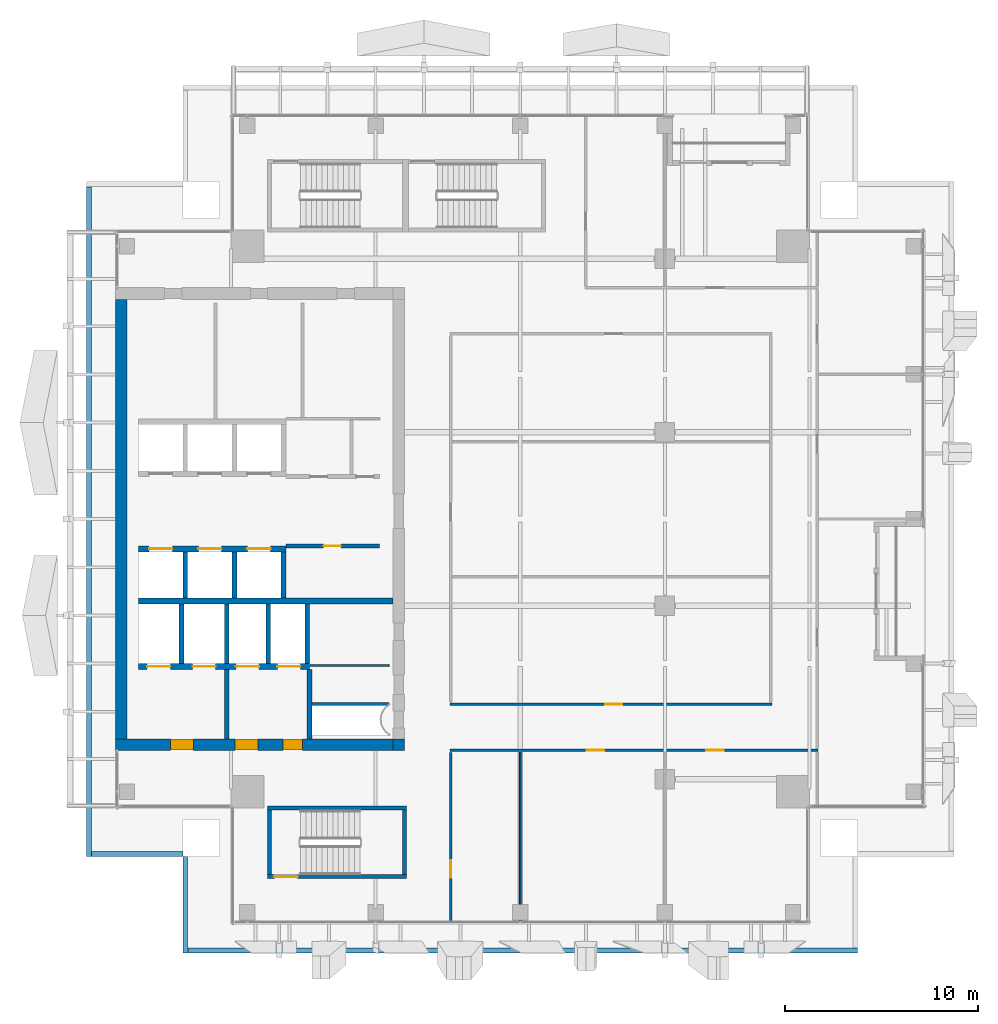
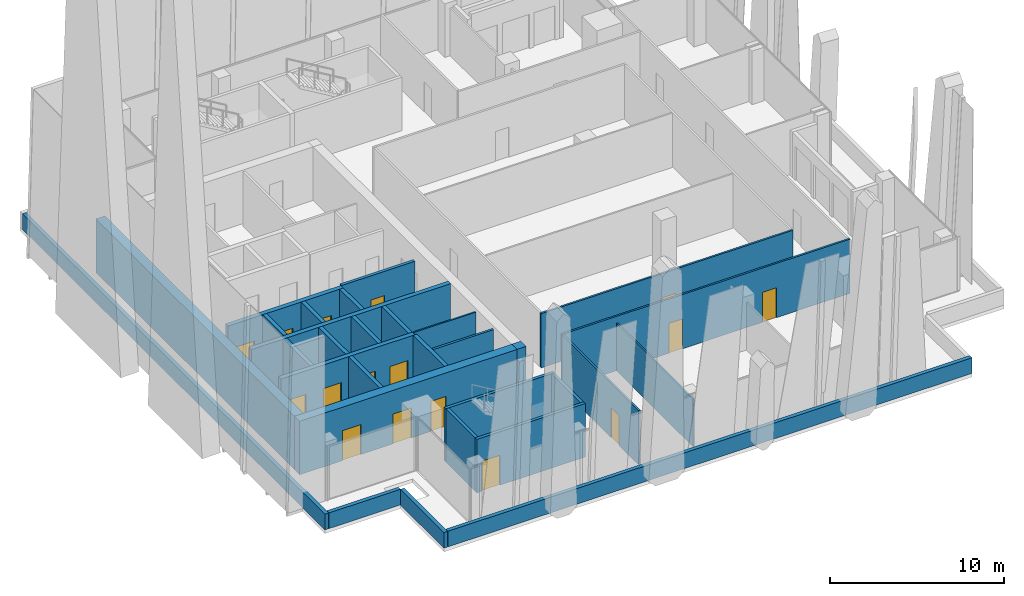
# One storey, part 25 of 32: 30 walls, 16 doors, 16 openings.
"""IFC4 building model written with IfcOpenShell, lengths in metres."""

from ifc_helpers import new_model, si_unit, direction, frame, frame_2d, origin, place, context, subcontext, project, spatial, rectangle, extrude, source, transform, mapped, material, layer, layer_set, type_object, element, fill, save


model = new_model("IFC4")

# Units and contexts
model_context = context("Model", 3, precision=1e-05, world=origin(), true_north=direction((0.0, 1.0)))
body_context = subcontext(model_context, "Body", "Model", "MODEL_VIEW")
ifc_project = project(units=[si_unit("LENGTHUNIT", "METRE"), si_unit("AREAUNIT", "SQUARE_METRE"), si_unit("VOLUMEUNIT", "CUBIC_METRE"), si_unit("PLANEANGLEUNIT", "RADIAN"), si_unit("MASSUNIT", "GRAM", prefix="KILO")], contexts=[model_context])

# Site, building, storey
site_placement = place(None, origin())
site = spatial("IfcSite", under=ifc_project, at=site_placement, CompositionType="ELEMENT")
building_placement = place(site_placement, origin())
building = spatial("IfcBuilding", under=site, at=building_placement, Name="Khomas Fold Tower", CompositionType="ELEMENT")
storey_placement = place(building_placement, frame((0.0, 0.0, 282.199951171875)))
storey = spatial("IfcBuildingStorey", under=building, at=storey_placement, Name="L63", CompositionType="ELEMENT", Elevation=282.199951171875)

# Wall
ifc_material_1 = material(Name="Concrete C50/60", Category="concrete")
ifc_layer_1 = layer(ifc_material_1, 0.199951171875)
ifc_layer_set_1 = layer_set([ifc_layer_1], Name="Concrete C50/60")
wall_type_1 = type_object("IfcWallType", Name="Stair wall 200", PredefinedType="SHEAR", material=ifc_layer_set_1)
shared_shape_1 = source(origin(), body_context, "Body", "SweptSolid", [
    extrude(rectangle(XDim=7.2001953125, YDim=0.199951171875, at=frame_2d((3.60009765625, 0.0))), origin(), (0.0, 0.0, 1.0), 3.75),
])
wall_1_placement = place(storey_placement, frame((13.89990234375, 12.0, 0.0), z_axis=(0.0, 0.0, 1.0), x_axis=(1.0, 0.0, 0.0)))
element("IfcWall", 1, at=wall_1_placement, inside=storey, type_object=wall_type_1, Name="Stair wall SW-ST2-NH", PredefinedType="SHEAR", context=body_context, shape_type="MappedRepresentation", body=[
    mapped(shared_shape_1, transform((0.0, 0.0, 0.0))),
])

# Wall, opening, door
wall_2_placement = place(storey_placement, frame((13.89990234375, 8.449951171875, 0.0), z_axis=(0.0, 0.0, 1.0), x_axis=(1.0, 0.0, 0.0)))
wall_2 = element("IfcWall", 2, at=wall_2_placement, inside=storey, type_object=wall_type_1, Name="Stair wall SW-ST2-S", PredefinedType="SHEAR", context=body_context, shape_type="MappedRepresentation", body=[
    mapped(shared_shape_1, transform((0.0, 0.0, 0.0))),
])
shared_shape_2 = source(origin(), body_context, "Body", "SweptSolid", [
    extrude(rectangle(XDim=1.199951171875, YDim=2.10009765625, at=frame_2d((0.60009765625, 1.050048828125))), frame((0.0, 0.10986328125, 0.0), z_axis=(0.0, -1.0, 0.0), x_axis=(1.0, 0.0, 0.0)), (0.0, 0.0, 1.0), 0.219970703125),
])
opening_1_placement = place(wall_2_placement, frame((0.35009765625, 0.0, 0.0)))
opening_1 = element("IfcOpeningElement", 3, at=opening_1_placement, cuts=wall_2, Name="Opening SD-ST2", PredefinedType="OPENING", context=body_context, shape_type="MappedRepresentation", body=[
    mapped(shared_shape_2, transform((0.0, 0.0, 0.0))),
])
ifc_material_2 = material(Name="Steel door leaf", Category="steel")
door_type_1 = type_object("IfcDoorType", Name="Stair door 1200x2100 right-hand", OperationType="SINGLE_SWING_RIGHT", PredefinedType="DOOR", material=ifc_material_2)
shared_shape_3 = source(origin(), body_context, "Body", "SweptSolid", [
    extrude(rectangle(XDim=1.199951171875, YDim=2.10009765625, at=frame_2d((0.60009765625, 1.050048828125))), frame((0.0, 0.02490234375, 0.0), z_axis=(0.0, -1.0, 0.0), x_axis=(1.0, 0.0, 0.0)), (0.0, 0.0, 1.0), 0.050048828125),
])
door_1_placement = place(opening_1_placement, origin())
door_1 = element("IfcDoor", 4, at=door_1_placement, inside=storey, type_object=door_type_1, Name="Stair door", OperationType="SINGLE_SWING_RIGHT", OverallHeight=2.10009765625, OverallWidth=1.199951171875, PredefinedType="DOOR", context=body_context, shape_type="MappedRepresentation", body=[
    mapped(shared_shape_3, transform((0.0, 0.0, 0.0))),
])
fill(opening_1, door_1)

# Walls
shared_shape_4 = source(origin(), body_context, "Body", "SweptSolid", [
    extrude(rectangle(XDim=3.349853515625, YDim=0.199951171875, at=frame_2d((1.6748046875, 0.0))), origin(), (0.0, 0.0, 1.0), 3.75),
])
for number, where, z_axis, x_axis, name in (
    (5, (21.0, 8.550048828125, 0.0), (0.0, 0.0, 1.0), (0.0, 1.0, 0.0), "Stair wall SW-ST2-E"),
    (6, (14.0, 8.550048828125, 0.0), (0.0, 0.0, 1.0), (0.0, 1.0, 0.0), "Stair wall SW-ST2-W"),
):
    element("IfcWall", number, at=place(storey_placement, frame(where, z_axis=z_axis, x_axis=x_axis)), inside=storey, type_object=wall_type_1, Name=name, PredefinedType="SHEAR", context=body_context, shape_type="MappedRepresentation", body=[
        mapped(shared_shape_4, transform((0.0, 0.0, 0.0))),
    ])
ifc_material_3 = material(Name="Concrete C50/60", Category="concrete")
ifc_layer_2 = layer(ifc_material_3, 0.25)
ifc_layer_set_2 = layer_set([ifc_layer_2], Name="Concrete C50/60")
wall_type_2 = type_object("IfcWallType", Name="Shaft wall 250", PredefinedType="STANDARD", material=ifc_layer_set_2)
shared_shape_5 = source(origin(), body_context, "Body", "SweptSolid", [
    extrude(rectangle(XDim=3.10009765625, YDim=0.25, at=frame_2d((1.550048828125, 0.0))), origin(), (0.0, 0.0, 1.0), 3.75),
])
for number, where, z_axis, x_axis, name in (
    (7, (9.425048828125, 19.5, 0.0), (0.0, 0.0, 1.0), (0.0, 1.0, 0.0), "Core wall SW-FS-P1"),
    (8, (11.77490234375, 19.5, 0.0), (0.0, 0.0, 1.0), (0.0, 1.0, 0.0), "Core wall SW-FS-P2"),
    (9, (13.925048828125, 19.5, 0.0), (0.0, 0.0, 1.0), (0.0, 1.0, 0.0), "Core wall SW-FS-P3"),
    (10, (15.949951171875, 19.5, 0.0), (0.0, 0.0, 1.0), (0.0, 1.0, 0.0), "Core wall SW-FS-PE"),
):
    element("IfcWall", number, at=place(storey_placement, frame(where, z_axis=z_axis, x_axis=x_axis)), inside=storey, type_object=wall_type_2, Name=name, PredefinedType="STANDARD", context=body_context, shape_type="MappedRepresentation", body=[
        mapped(shared_shape_5, transform((0.0, 0.0, 0.0))),
    ])
shared_shape_6 = source(origin(), body_context, "Body", "SweptSolid", [
    extrude(rectangle(XDim=2.400146484375, YDim=0.25, at=frame_2d((1.2001953125, 0.0))), origin(), (0.0, 0.0, 1.0), 3.75),
])
for number, where, z_axis, x_axis, name in (
    (11, (9.625, 22.89990234375, 0.0), (0.0, 0.0, 1.0), (0.0, 1.0, 0.0), "Core wall SW-HRS-P1"),
    (12, (12.175048828125, 22.89990234375, 0.0), (0.0, 0.0, 1.0), (0.0, 1.0, 0.0), "Core wall SW-HRS-P2"),
    (13, (14.72509765625, 22.89990234375, 0.0), (0.0, 0.0, 1.0), (0.0, 1.0, 0.0), "Core wall SW-HRS-PE"),
):
    element("IfcWall", number, at=place(storey_placement, frame(where, z_axis=z_axis, x_axis=x_axis)), inside=storey, type_object=wall_type_2, Name=name, PredefinedType="STANDARD", context=body_context, shape_type="MappedRepresentation", body=[
        mapped(shared_shape_6, transform((0.0, 0.0, 0.0))),
    ])

# Wall, openings, doors
ifc_material_4 = material(Name="Concrete C50/60", Category="concrete")
ifc_layer_3 = layer(ifc_material_4, 0.60009765625)
ifc_layer_set_3 = layer_set([ifc_layer_3], Name="Concrete C50/60")
wall_type_3 = type_object("IfcWallType", Name="Core wall 600", PredefinedType="SHEAR", material=ifc_layer_set_3)
shared_shape_7 = source(origin(), body_context, "Body", "SweptSolid", [
    extrude(rectangle(XDim=14.39990234375, YDim=0.60009765625, at=frame_2d((7.199951171875, 0.0))), origin(), (0.0, 0.0, 1.0), 3.75),
])
wall_3_placement = place(storey_placement, frame((6.0, 15.300048828125, 0.0), z_axis=(0.0, 0.0, 1.0), x_axis=(1.0, 0.0, 0.0)))
wall_3 = element("IfcWall", 14, at=wall_3_placement, inside=storey, type_object=wall_type_3, Name="Core wall CW-U-S-L63", PredefinedType="SHEAR", context=body_context, shape_type="MappedRepresentation", body=[
    mapped(shared_shape_7, transform((0.0, 0.0, 0.0))),
])
shared_shape_8 = source(origin(), body_context, "Body", "SweptSolid", [
    extrude(rectangle(XDim=1.199951171875, YDim=2.10009765625, at=frame_2d((0.60009765625, 1.050048828125))), frame((0.0, 0.31005859375, 0.0), z_axis=(0.0, -1.0, 0.0), x_axis=(1.0, 0.0, 0.0)), (0.0, 0.0, 1.0), 0.6201171875),
])
opening_2_placement = place(wall_3_placement, frame((6.199951171875, 0.0, 0.0)))
opening_2 = element("IfcOpeningElement", 15, at=opening_2_placement, cuts=wall_3, Name="Opening 0009", PredefinedType="OPENING", context=body_context, shape_type="MappedRepresentation", body=[
    mapped(shared_shape_8, transform((0.0, 0.0, 0.0))),
])
opening_3_placement = place(wall_3_placement, frame((2.85009765625, 0.0, 0.0)))
opening_3 = element("IfcOpeningElement", 16, at=opening_3_placement, cuts=wall_3, Name="Opening 0009", PredefinedType="OPENING", context=body_context, shape_type="MappedRepresentation", body=[
    mapped(shared_shape_8, transform((0.0, 0.0, 0.0))),
])
shared_shape_9 = source(origin(), body_context, "Body", "SweptSolid", [
    extrude(rectangle(XDim=1.0, YDim=2.10009765625, at=frame_2d((0.5, 1.050048828125))), frame((0.0, 0.31005859375, 0.0), z_axis=(0.0, -1.0, 0.0), x_axis=(1.0, 0.0, 0.0)), (0.0, 0.0, 1.0), 0.6201171875),
])
opening_4_placement = place(wall_3_placement, frame((8.699951171875, 0.0, 0.0)))
opening_4 = element("IfcOpeningElement", 17, at=opening_4_placement, cuts=wall_3, Name="Opening 0010", PredefinedType="OPENING", context=body_context, shape_type="MappedRepresentation", body=[
    mapped(shared_shape_9, transform((0.0, 0.0, 0.0))),
])
ifc_material_5 = material(Name="Steel door leaf", Category="steel")
door_type_2 = type_object("IfcDoorType", Name="Stair door 1000x2100 right-hand", OperationType="SINGLE_SWING_RIGHT", PredefinedType="DOOR", material=ifc_material_5)
shared_shape_10 = source(origin(), body_context, "Body", "SweptSolid", [
    extrude(rectangle(XDim=1.0, YDim=2.10009765625, at=frame_2d((0.5, 1.050048828125))), frame((0.0, 0.25, 0.0), z_axis=(0.0, -1.0, 0.0), x_axis=(1.0, 0.0, 0.0)), (0.0, 0.0, 1.0), 0.5),
])
door_2_placement = place(opening_4_placement, origin())
door_2 = element("IfcDoor", 18, at=door_2_placement, inside=storey, type_object=door_type_2, Name="Stair door", OperationType="SINGLE_SWING_RIGHT", OverallHeight=2.10009765625, OverallWidth=1.0, PredefinedType="DOOR", context=body_context, shape_type="MappedRepresentation", body=[
    mapped(shared_shape_10, transform((0.0, 0.0, 0.0))),
])
fill(opening_4, door_2)
ifc_material_6 = material(Name="Steel door leaf", Category="steel")
door_type_3 = type_object("IfcDoorType", Name="Lobby door 1200x2100 right-hand", OperationType="SINGLE_SWING_RIGHT", PredefinedType="DOOR", material=ifc_material_6)
shared_shape_11 = source(origin(), body_context, "Body", "SweptSolid", [
    extrude(rectangle(XDim=1.199951171875, YDim=2.10009765625, at=frame_2d((0.60009765625, 1.050048828125))), frame((0.0, 0.25, 0.0), z_axis=(0.0, -1.0, 0.0), x_axis=(1.0, 0.0, 0.0)), (0.0, 0.0, 1.0), 0.5),
])
door_3_placement = place(opening_2_placement, origin())
door_3 = element("IfcDoor", 19, at=door_3_placement, inside=storey, type_object=door_type_3, Name="Lobby door", OperationType="SINGLE_SWING_RIGHT", OverallHeight=2.10009765625, OverallWidth=1.199951171875, PredefinedType="DOOR", context=body_context, shape_type="MappedRepresentation", body=[
    mapped(shared_shape_11, transform((0.0, 0.0, 0.0))),
])
fill(opening_2, door_3)
door_4_placement = place(opening_3_placement, origin())
door_4 = element("IfcDoor", 20, at=door_4_placement, inside=storey, type_object=door_type_3, Name="Lobby door", OperationType="SINGLE_SWING_RIGHT", OverallHeight=2.10009765625, OverallWidth=1.199951171875, PredefinedType="DOOR", context=body_context, shape_type="MappedRepresentation", body=[
    mapped(shared_shape_11, transform((0.0, 0.0, 0.0))),
])
fill(opening_3, door_4)

# Walls
ifc_material_7 = material(Name="Concrete C50/60", Category="concrete")
ifc_layer_4 = layer(ifc_material_7, 0.60009765625)
ifc_layer_set_4 = layer_set([ifc_layer_4], Name="Concrete C50/60")
wall_type_4 = type_object("IfcWallType", Name="Core corner wall 600", PredefinedType="SHEAR", material=ifc_layer_set_4)
shared_shape_12 = source(origin(), body_context, "Body", "SweptSolid", [
    extrude(rectangle(XDim=0.60009765625, YDim=0.60009765625, at=frame_2d((0.300048828125, 0.0))), origin(), (0.0, 0.0, 1.0), 3.75),
])
wall_4_placement = place(storey_placement, frame((20.39990234375, 15.300048828125, 0.0), z_axis=(0.0, 0.0, 1.0), x_axis=(1.0, 0.0, 0.0)))
element("IfcWall", 21, at=wall_4_placement, inside=storey, type_object=wall_type_4, Name="Core wall CW-U-SE-L63", PredefinedType="SHEAR", context=body_context, shape_type="MappedRepresentation", body=[
    mapped(shared_shape_12, transform((0.0, 0.0, 0.0))),
])
shared_shape_13 = source(origin(), body_context, "Body", "SweptSolid", [
    extrude(rectangle(XDim=22.7998046875, YDim=0.60009765625, at=frame_2d((11.39990234375, 0.0))), origin(), (0.0, 0.0, 1.0), 3.75),
])
wall_5_placement = place(storey_placement, frame((6.300048828125, 15.60009765625, 0.0), z_axis=(0.0, 0.0, 1.0), x_axis=(0.0, 1.0, 0.0)))
element("IfcWall", 22, at=wall_5_placement, inside=storey, type_object=wall_type_3, Name="Core wall CW-U-W-L63", PredefinedType="SHEAR", context=body_context, shape_type="MappedRepresentation", body=[
    mapped(shared_shape_13, transform((0.0, 0.0, 0.0))),
])
ifc_material_8 = material(Name="Concrete C50/60", Category="concrete")
ifc_layer_5 = layer(ifc_material_8, 0.300048828125)
ifc_layer_set_5 = layer_set([ifc_layer_5], Name="Concrete C50/60")
wall_type_5 = type_object("IfcWallType", Name="Shaft wall 300", PredefinedType="STANDARD", material=ifc_layer_set_5)
shared_shape_14 = source(origin(), body_context, "Body", "SweptSolid", [
    extrude(rectangle(XDim=13.199951171875, YDim=0.300048828125, at=frame_2d((6.60009765625, 0.0))), origin(), (0.0, 0.0, 1.0), 3.75),
])
wall_6_placement = place(storey_placement, frame((7.199951171875, 22.75, 0.0), z_axis=(0.0, 0.0, 1.0), x_axis=(1.0, 0.0, 0.0)))
element("IfcWall", 23, at=wall_6_placement, inside=storey, type_object=wall_type_5, Name="Core wall SW-FS-B", PredefinedType="STANDARD", context=body_context, shape_type="MappedRepresentation", body=[
    mapped(shared_shape_14, transform((0.0, 0.0, 0.0))),
])

# Wall, openings, doors
shared_shape_15 = source(origin(), body_context, "Body", "SweptSolid", [
    extrude(rectangle(XDim=8.875, YDim=0.300048828125, at=frame_2d((4.4375, 0.0))), origin(), (0.0, 0.0, 1.0), 3.75),
])
wall_7_placement = place(storey_placement, frame((7.199951171875, 19.35009765625, 0.0), z_axis=(0.0, 0.0, 1.0), x_axis=(1.0, 0.0, 0.0)))
wall_7 = element("IfcWall", 24, at=wall_7_placement, inside=storey, type_object=wall_type_5, Name="Core wall SW-FS-F", PredefinedType="STANDARD", context=body_context, shape_type="MappedRepresentation", body=[
    mapped(shared_shape_15, transform((0.0, 0.0, 0.0))),
])
shared_shape_16 = source(origin(), body_context, "Body", "SweptSolid", [
    extrude(rectangle(XDim=1.199951171875, YDim=2.10009765625, at=frame_2d((0.60009765625, 1.050048828125))), frame((0.0, 0.159912109375, 0.0), z_axis=(0.0, -1.0, 0.0), x_axis=(1.0, 0.0, 0.0)), (0.0, 0.0, 1.0), 0.320068359375),
])
opening_5_placement = place(wall_7_placement, frame((0.449951171875, 0.0, 0.0)))
opening_5 = element("IfcOpeningElement", 25, at=opening_5_placement, cuts=wall_7, Name="Opening LD-SV1", PredefinedType="OPENING", context=body_context, shape_type="MappedRepresentation", body=[
    mapped(shared_shape_16, transform((0.0, 0.0, 0.0))),
])
opening_6_placement = place(wall_7_placement, frame((2.800048828125, 0.0, 0.0)))
opening_6 = element("IfcOpeningElement", 26, at=opening_6_placement, cuts=wall_7, Name="Opening LD-SV2", PredefinedType="OPENING", context=body_context, shape_type="MappedRepresentation", body=[
    mapped(shared_shape_16, transform((0.0, 0.0, 0.0))),
])
opening_7_placement = place(wall_7_placement, frame((5.050048828125, 0.0, 0.0)))
opening_7 = element("IfcOpeningElement", 27, at=opening_7_placement, cuts=wall_7, Name="Opening LD-FF1", PredefinedType="OPENING", context=body_context, shape_type="MappedRepresentation", body=[
    mapped(shared_shape_16, transform((0.0, 0.0, 0.0))),
])
opening_8_placement = place(wall_7_placement, frame((7.199951171875, 0.0, 0.0)))
opening_8 = element("IfcOpeningElement", 28, at=opening_8_placement, cuts=wall_7, Name="Opening LD-FF2", PredefinedType="OPENING", context=body_context, shape_type="MappedRepresentation", body=[
    mapped(shared_shape_16, transform((0.0, 0.0, 0.0))),
])
ifc_material_9 = material(Name="Steel door leaf", Category="steel")
door_type_4 = type_object("IfcDoorType", Name="Landing door 1200x2100", OperationType="DOUBLE_DOOR_SLIDING", PredefinedType="DOOR", material=ifc_material_9)
door_5_placement = place(opening_5_placement, origin())
door_5 = element("IfcDoor", 29, at=door_5_placement, inside=storey, type_object=door_type_4, Name="Lift landing door", OperationType="DOUBLE_DOOR_SLIDING", OverallHeight=2.10009765625, OverallWidth=1.199951171875, PredefinedType="DOOR", context=body_context, shape_type="MappedRepresentation", body=[
    mapped(shared_shape_3, transform((0.0, 0.0, 0.0))),
])
fill(opening_5, door_5)
door_6_placement = place(opening_6_placement, origin())
door_6 = element("IfcDoor", 30, at=door_6_placement, inside=storey, type_object=door_type_4, Name="Lift landing door", OperationType="DOUBLE_DOOR_SLIDING", OverallHeight=2.10009765625, OverallWidth=1.199951171875, PredefinedType="DOOR", context=body_context, shape_type="MappedRepresentation", body=[
    mapped(shared_shape_3, transform((0.0, 0.0, 0.0))),
])
fill(opening_6, door_6)
door_7_placement = place(opening_7_placement, origin())
door_7 = element("IfcDoor", 31, at=door_7_placement, inside=storey, type_object=door_type_4, Name="Lift landing door", OperationType="DOUBLE_DOOR_SLIDING", OverallHeight=2.10009765625, OverallWidth=1.199951171875, PredefinedType="DOOR", context=body_context, shape_type="MappedRepresentation", body=[
    mapped(shared_shape_3, transform((0.0, 0.0, 0.0))),
])
fill(opening_7, door_7)
door_8_placement = place(opening_8_placement, origin())
door_8 = element("IfcDoor", 32, at=door_8_placement, inside=storey, type_object=door_type_4, Name="Lift landing door", OperationType="DOUBLE_DOOR_SLIDING", OverallHeight=2.10009765625, OverallWidth=1.199951171875, PredefinedType="DOOR", context=body_context, shape_type="MappedRepresentation", body=[
    mapped(shared_shape_3, transform((0.0, 0.0, 0.0))),
])
fill(opening_8, door_8)

shared_shape_17 = source(origin(), body_context, "Body", "SweptSolid", [
    extrude(rectangle(XDim=7.650146484375, YDim=0.300048828125, at=frame_2d((3.8251953125, 0.0))), origin(), (0.0, 0.0, 1.0), 3.75),
])
wall_8_placement = place(storey_placement, frame((7.199951171875, 25.449951171875, 0.0), z_axis=(0.0, 0.0, 1.0), x_axis=(1.0, 0.0, 0.0)))
wall_8 = element("IfcWall", 33, at=wall_8_placement, inside=storey, type_object=wall_type_5, Name="Core wall SW-HRS-F", PredefinedType="STANDARD", context=body_context, shape_type="MappedRepresentation", body=[
    mapped(shared_shape_17, transform((0.0, 0.0, 0.0))),
])
opening_9_placement = place(wall_8_placement, frame((0.550048828125, 0.0, 0.0)))
opening_9 = element("IfcOpeningElement", 34, at=opening_9_placement, cuts=wall_8, Name="Opening LD-HR1", PredefinedType="OPENING", context=body_context, shape_type="MappedRepresentation", body=[
    mapped(shared_shape_16, transform((0.0, 0.0, 0.0))),
])
opening_10_placement = place(wall_8_placement, frame((3.10009765625, 0.0, 0.0)))
opening_10 = element("IfcOpeningElement", 35, at=opening_10_placement, cuts=wall_8, Name="Opening LD-HR2", PredefinedType="OPENING", context=body_context, shape_type="MappedRepresentation", body=[
    mapped(shared_shape_16, transform((0.0, 0.0, 0.0))),
])
opening_11_placement = place(wall_8_placement, frame((5.64990234375, 0.0, 0.0)))
opening_11 = element("IfcOpeningElement", 36, at=opening_11_placement, cuts=wall_8, Name="Opening LD-HR3", PredefinedType="OPENING", context=body_context, shape_type="MappedRepresentation", body=[
    mapped(shared_shape_16, transform((0.0, 0.0, 0.0))),
])
door_9_placement = place(opening_9_placement, origin())
door_9 = element("IfcDoor", 37, at=door_9_placement, inside=storey, type_object=door_type_4, Name="Lift landing door", OperationType="DOUBLE_DOOR_SLIDING", OverallHeight=2.10009765625, OverallWidth=1.199951171875, PredefinedType="DOOR", context=body_context, shape_type="MappedRepresentation", body=[
    mapped(shared_shape_3, transform((0.0, 0.0, 0.0))),
])
fill(opening_9, door_9)
door_10_placement = place(opening_10_placement, origin())
door_10 = element("IfcDoor", 38, at=door_10_placement, inside=storey, type_object=door_type_4, Name="Lift landing door", OperationType="DOUBLE_DOOR_SLIDING", OverallHeight=2.10009765625, OverallWidth=1.199951171875, PredefinedType="DOOR", context=body_context, shape_type="MappedRepresentation", body=[
    mapped(shared_shape_3, transform((0.0, 0.0, 0.0))),
])
fill(opening_10, door_10)
door_11_placement = place(opening_11_placement, origin())
door_11 = element("IfcDoor", 39, at=door_11_placement, inside=storey, type_object=door_type_4, Name="Lift landing door", OperationType="DOUBLE_DOOR_SLIDING", OverallHeight=2.10009765625, OverallWidth=1.199951171875, PredefinedType="DOOR", context=body_context, shape_type="MappedRepresentation", body=[
    mapped(shared_shape_3, transform((0.0, 0.0, 0.0))),
])
fill(opening_11, door_11)

# Walls
ifc_material_10 = material(Name="Concrete C50/60", Category="concrete")
ifc_layer_6 = layer(ifc_material_10, 0.25)
ifc_layer_set_6 = layer_set([ifc_layer_6], Name="Concrete C50/60")
wall_type_6 = type_object("IfcWallType", Name="Lobby wall 250", PredefinedType="STANDARD", material=ifc_layer_set_6)
shared_shape_18 = source(origin(), body_context, "Body", "SweptSolid", [
    extrude(rectangle(XDim=3.599853515625, YDim=0.25, at=frame_2d((1.7998046875, 0.0))), origin(), (0.0, 0.0, 1.0), 3.75),
])
for number, where, z_axis, x_axis, name in (
    (40, (16.074951171875, 15.60009765625, 0.0), (0.0, 0.0, 1.0), (0.0, 1.0, 0.0), "Core wall SW-FS-LOB-E"),
    (41, (11.77490234375, 15.60009765625, 0.0), (0.0, 0.0, 1.0), (0.0, 1.0, 0.0), "Core wall SW-FS-SEP"),
):
    element("IfcWall", number, at=place(storey_placement, frame(where, z_axis=z_axis, x_axis=x_axis)), inside=storey, type_object=wall_type_6, Name=name, PredefinedType="STANDARD", context=body_context, shape_type="MappedRepresentation", body=[
        mapped(shared_shape_18, transform((0.0, 0.0, 0.0))),
    ])
ifc_material_11 = material(Name="Concrete C40/50", Category="concrete")
ifc_layer_7 = layer(ifc_material_11, 0.25)
ifc_layer_set_7 = layer_set([ifc_layer_7], Name="Concrete C40/50")
wall_type_7 = type_object("IfcWallType", Name="Setback roof parapet 250", PredefinedType="PARAPET", material=ifc_layer_set_7)
shared_shape_19 = source(origin(), body_context, "Body", "SweptSolid", [
    extrude(rectangle(XDim=5.0, YDim=0.25, at=frame_2d((2.5, 0.0))), origin(), (0.0, 0.0, 1.0), 1.10009765625),
])
wall_9_placement = place(storey_placement, frame((9.625, 9.5, 0.0), z_axis=(0.0, 0.0, 1.0), x_axis=(0.0, -1.0, 0.0)))
element("IfcWall", 42, at=wall_9_placement, inside=storey, type_object=wall_type_7, Name="Setback roof parapet", PredefinedType="SOLIDWALL", context=body_context, shape_type="MappedRepresentation", body=[
    mapped(shared_shape_19, transform((0.0, 0.0, 0.0))),
])
shared_shape_20 = source(origin(), body_context, "Body", "SweptSolid", [
    extrude(rectangle(XDim=34.72998046875, YDim=0.25, at=frame_2d((17.364990234375, 0.0))), origin(), (0.0, 0.0, 1.0), 1.10009765625),
])
for number, where, z_axis, x_axis, name in (
    (43, (9.77001953125, 4.625, 0.0), (0.0, 0.0, 1.0), (1.0, 0.0, 0.0), "Setback roof parapet"),
    (44, (4.625, 44.22998046875, 0.0), (0.0, 0.0, 1.0), (0.0, -1.0, 0.0), "Setback roof parapet"),
):
    element("IfcWall", number, at=place(storey_placement, frame(where, z_axis=z_axis, x_axis=x_axis)), inside=storey, type_object=wall_type_7, Name=name, PredefinedType="SOLIDWALL", context=body_context, shape_type="MappedRepresentation", body=[
        mapped(shared_shape_20, transform((0.0, 0.0, 0.0))),
    ])
shared_shape_21 = source(origin(), body_context, "Body", "SweptSolid", [
    extrude(rectangle(XDim=4.72998046875, YDim=0.25, at=frame_2d((2.364990234375, 0.0))), origin(), (0.0, 0.0, 1.0), 1.10009765625),
])
wall_10_placement = place(storey_placement, frame((4.77001953125, 9.625, 0.0), z_axis=(0.0, 0.0, 1.0), x_axis=(1.0, 0.0, 0.0)))
element("IfcWall", 45, at=wall_10_placement, inside=storey, type_object=wall_type_7, Name="Setback roof parapet", PredefinedType="SOLIDWALL", context=body_context, shape_type="MappedRepresentation", body=[
    mapped(shared_shape_21, transform((0.0, 0.0, 0.0))),
])
ifc_material_12 = material(Name="Plasterboard fire partition")
ifc_layer_8 = layer(ifc_material_12, 0.14990234375)
ifc_layer_set_8 = layer_set([ifc_layer_8], Name="Plasterboard fire partition")
wall_type_8 = type_object("IfcWallType", Name="Plant room wall PW3 150", PredefinedType="PARTITIONING", material=ifc_layer_set_8)
shared_shape_22 = source(origin(), body_context, "Body", "SweptSolid", [
    extrude(rectangle(XDim=4.0, YDim=0.14990234375, at=frame_2d((2.0, 0.0))), origin(), (0.0, 0.0, 1.0), 3.800048828125),
])
wall_11_placement = place(storey_placement, frame((16.199951171875, 17.39990234375, 0.0), z_axis=(0.0, 0.0, 1.0), x_axis=(1.0, 0.0, 0.0)))
element("IfcWall", 46, at=wall_11_placement, inside=storey, type_object=wall_type_8, Name="Plant room wall", PredefinedType="PARTITIONING", context=body_context, shape_type="MappedRepresentation", body=[
    mapped(shared_shape_22, transform((0.0, 0.0, 0.0))),
])
ifc_material_13 = material(Name="Plasterboard partition")
ifc_layer_9 = layer(ifc_material_13, 0.10009765625)
ifc_layer_set_9 = layer_set([ifc_layer_9], Name="Plasterboard partition")
wall_type_9 = type_object("IfcWallType", Name="Partition PW1 100", PredefinedType="PARTITIONING", material=ifc_layer_set_9)
shared_shape_23 = source(origin(), body_context, "Body", "SweptSolid", [
    extrude(rectangle(XDim=4.099853515625, YDim=0.10009765625, at=frame_2d((2.0498046875, 0.0))), origin(), (0.0, 0.0, 1.0), 3.800048828125),
])
wall_12_placement = place(storey_placement, frame((16.10009765625, 19.39990234375, 0.0), z_axis=(0.0, 0.0, 1.0), x_axis=(1.0, 0.0, 0.0)))
element("IfcWall", 47, at=wall_12_placement, inside=storey, type_object=wall_type_9, Name="Partition", PredefinedType="PARTITIONING", context=body_context, shape_type="MappedRepresentation", body=[
    mapped(shared_shape_23, transform((0.0, 0.0, 0.0))),
])

# Wall, opening, door
ifc_material_14 = material(Name="Concrete C30/37", Category="concrete")
ifc_layer_10 = layer(ifc_material_14, 0.199951171875)
ifc_layer_set_10 = layer_set([ifc_layer_10], Name="Concrete C30/37")
wall_type_10 = type_object("IfcWallType", Name="Lobby wall PW4 200", PredefinedType="PARTITIONING", material=ifc_layer_set_10)
shared_shape_24 = source(origin(), body_context, "Body", "SweptSolid", [
    extrude(rectangle(XDim=4.849853515625, YDim=0.199951171875, at=frame_2d((2.4248046875, 0.0))), origin(), (0.0, 0.0, 1.0), 3.800048828125),
])
wall_13_placement = place(storey_placement, frame((14.85009765625, 25.60009765625, 0.0), z_axis=(0.0, 0.0, 1.0), x_axis=(1.0, 0.0, 0.0)))
wall_13 = element("IfcWall", 48, at=wall_13_placement, inside=storey, type_object=wall_type_10, Name="Lobby wall", PredefinedType="PARTITIONING", context=body_context, shape_type="MappedRepresentation", body=[
    mapped(shared_shape_24, transform((0.0, 0.0, 0.0))),
])
shared_shape_25 = source(origin(), body_context, "Body", "SweptSolid", [
    extrude(rectangle(XDim=0.89990234375, YDim=2.10009765625, at=frame_2d((0.449951171875, 1.050048828125))), frame((0.0, 0.10986328125, 0.0), z_axis=(0.0, -1.0, 0.0), x_axis=(1.0, 0.0, 0.0)), (0.0, 0.0, 1.0), 0.219970703125),
])
opening_12_placement = place(wall_13_placement, frame((1.949951171875, 0.0, 0.0)))
opening_12 = element("IfcOpeningElement", 49, at=opening_12_placement, cuts=wall_13, Name="Opening 0024", PredefinedType="OPENING", context=body_context, shape_type="MappedRepresentation", body=[
    mapped(shared_shape_25, transform((0.0, 0.0, 0.0))),
])
ifc_material_15 = material(Name="Steel door leaf", Category="steel")
door_type_5 = type_object("IfcDoorType", Name="Lobby door 900x2100 right-hand", OperationType="SINGLE_SWING_RIGHT", PredefinedType="DOOR", material=ifc_material_15)
shared_shape_26 = source(origin(), body_context, "Body", "SweptSolid", [
    extrude(rectangle(XDim=0.89990234375, YDim=2.10009765625, at=frame_2d((0.449951171875, 1.050048828125))), frame((0.0, 0.02490234375, 0.0), z_axis=(0.0, -1.0, 0.0), x_axis=(1.0, 0.0, 0.0)), (0.0, 0.0, 1.0), 0.050048828125),
])
door_12_placement = place(opening_12_placement, origin())
door_12 = element("IfcDoor", 50, at=door_12_placement, inside=storey, type_object=door_type_5, Name="Lobby door", OperationType="SINGLE_SWING_RIGHT", OverallHeight=2.10009765625, OverallWidth=0.89990234375, PredefinedType="DOOR", context=body_context, shape_type="MappedRepresentation", body=[
    mapped(shared_shape_26, transform((0.0, 0.0, 0.0))),
])
fill(opening_12, door_12)

ifc_material_16 = material(Name="Plasterboard partition")
ifc_layer_11 = layer(ifc_material_16, 0.125)
ifc_layer_set_11 = layer_set([ifc_layer_11], Name="Plasterboard partition")
wall_type_11 = type_object("IfcWallType", Name="Partition PW2 125", PredefinedType="PARTITIONING", material=ifc_layer_set_11)
shared_shape_27 = source(origin(), body_context, "Body", "SweptSolid", [
    extrude(rectangle(XDim=8.75, YDim=0.125, at=frame_2d((4.375, 0.0))), origin(), (0.0, 0.0, 1.0), 3.800048828125),
])
wall_14_placement = place(storey_placement, frame((23.39990234375, 6.14990234375, 0.0), z_axis=(0.0, 0.0, 1.0), x_axis=(0.0, 1.0, 0.0)))
wall_14 = element("IfcWall", 51, at=wall_14_placement, inside=storey, type_object=wall_type_11, Name="Partition", PredefinedType="PARTITIONING", context=body_context, shape_type="MappedRepresentation", body=[
    mapped(shared_shape_27, transform((0.0, 0.0, 0.0))),
])
shared_shape_28 = source(origin(), body_context, "Body", "SweptSolid", [
    extrude(rectangle(XDim=0.89990234375, YDim=2.10009765625, at=frame_2d((0.449951171875, 1.050048828125))), frame((0.0, 0.072509765625, 0.0), z_axis=(0.0, -1.0, 0.0), x_axis=(1.0, 0.0, 0.0)), (0.0, 0.0, 1.0), 0.14501953125),
])
opening_13_placement = place(wall_14_placement, frame((2.25, 0.0, 0.0)))
opening_13 = element("IfcOpeningElement", 52, at=opening_13_placement, cuts=wall_14, Name="Opening 0007", PredefinedType="OPENING", context=body_context, shape_type="MappedRepresentation", body=[
    mapped(shared_shape_28, transform((0.0, 0.0, 0.0))),
])
ifc_material_17 = material(Name="Timber door leaf", Category="wood")
door_type_6 = type_object("IfcDoorType", Name="Door 900x2100 left-hand", OperationType="SINGLE_SWING_LEFT", PredefinedType="DOOR", material=ifc_material_17)
door_13_placement = place(opening_13_placement, origin())
door_13 = element("IfcDoor", 53, at=door_13_placement, inside=storey, type_object=door_type_6, Name="Door", OperationType="SINGLE_SWING_LEFT", OverallHeight=2.10009765625, OverallWidth=0.89990234375, PredefinedType="DOOR", context=body_context, shape_type="MappedRepresentation", body=[
    mapped(shared_shape_26, transform((0.0, 0.0, 0.0))),
])
fill(opening_13, door_13)

# Wall
shared_shape_29 = source(origin(), body_context, "Body", "SweptSolid", [
    extrude(rectangle(XDim=8.75, YDim=0.10009765625, at=frame_2d((4.375, 0.0))), origin(), (0.0, 0.0, 1.0), 3.35009765625),
])
wall_15_placement = place(storey_placement, frame((27.0, 6.14990234375, 0.0), z_axis=(0.0, 0.0, 1.0), x_axis=(0.0, 1.0, 0.0)))
element("IfcWall", 54, at=wall_15_placement, inside=storey, type_object=wall_type_9, Name="Partition", PredefinedType="PARTITIONING", context=body_context, shape_type="MappedRepresentation", body=[
    mapped(shared_shape_29, transform((0.0, 0.0, 0.0))),
])

# Wall, openings, doors
shared_shape_30 = source(origin(), body_context, "Body", "SweptSolid", [
    extrude(rectangle(XDim=19.099853515625, YDim=0.125, at=frame_2d((9.5498046875, 0.0))), origin(), (0.0, 0.0, 1.0), 3.800048828125),
])
wall_16_placement = place(storey_placement, frame((23.35009765625, 15.0, 0.0), z_axis=(0.0, 0.0, 1.0), x_axis=(1.0, 0.0, 0.0)))
wall_16 = element("IfcWall", 55, at=wall_16_placement, inside=storey, type_object=wall_type_11, Name="Partition", PredefinedType="PARTITIONING", context=body_context, shape_type="MappedRepresentation", body=[
    mapped(shared_shape_30, transform((0.0, 0.0, 0.0))),
])
opening_14_placement = place(wall_16_placement, frame((7.10009765625, 0.0, 0.0)))
opening_14 = element("IfcOpeningElement", 56, at=opening_14_placement, cuts=wall_16, Name="Opening 0008", PredefinedType="OPENING", context=body_context, shape_type="MappedRepresentation", body=[
    mapped(shared_shape_28, transform((0.0, 0.0, 0.0))),
])
opening_15_placement = place(wall_16_placement, frame((13.300048828125, 0.0, 0.0)))
opening_15 = element("IfcOpeningElement", 57, at=opening_15_placement, cuts=wall_16, Name="Opening 0007", PredefinedType="OPENING", context=body_context, shape_type="MappedRepresentation", body=[
    mapped(shared_shape_28, transform((0.0, 0.0, 0.0))),
])
ifc_material_18 = material(Name="Timber door leaf", Category="wood")
door_type_7 = type_object("IfcDoorType", Name="Door 900x2100 right-hand", OperationType="SINGLE_SWING_RIGHT", PredefinedType="DOOR", material=ifc_material_18)
door_14_placement = place(opening_14_placement, origin())
door_14 = element("IfcDoor", 58, at=door_14_placement, inside=storey, type_object=door_type_7, Name="Door", OperationType="SINGLE_SWING_RIGHT", OverallHeight=2.10009765625, OverallWidth=0.89990234375, PredefinedType="DOOR", context=body_context, shape_type="MappedRepresentation", body=[
    mapped(shared_shape_26, transform((0.0, 0.0, 0.0))),
])
fill(opening_14, door_14)
door_15_placement = place(opening_15_placement, origin())
door_15 = element("IfcDoor", 59, at=door_15_placement, inside=storey, type_object=door_type_6, Name="Door", OperationType="SINGLE_SWING_LEFT", OverallHeight=2.10009765625, OverallWidth=0.89990234375, PredefinedType="DOOR", context=body_context, shape_type="MappedRepresentation", body=[
    mapped(shared_shape_26, transform((0.0, 0.0, 0.0))),
])
fill(opening_15, door_15)

# Wall, opening, door
shared_shape_31 = source(origin(), body_context, "Body", "SweptSolid", [
    extrude(rectangle(XDim=16.699951171875, YDim=0.125, at=frame_2d((8.35009765625, 0.0))), origin(), (0.0, 0.0, 1.0), 3.800048828125),
])
wall_17_placement = place(storey_placement, frame((23.35009765625, 17.39990234375, 0.0), z_axis=(0.0, 0.0, 1.0), x_axis=(1.0, 0.0, 0.0)))
wall_17 = element("IfcWall", 60, at=wall_17_placement, inside=storey, type_object=wall_type_11, Name="Partition", PredefinedType="PARTITIONING", context=body_context, shape_type="MappedRepresentation", body=[
    mapped(shared_shape_31, transform((0.0, 0.0, 0.0))),
])
opening_16_placement = place(wall_17_placement, frame((8.050048828125, 0.0, 0.0)))
opening_16 = element("IfcOpeningElement", 61, at=opening_16_placement, cuts=wall_17, Name="Opening 0007", PredefinedType="OPENING", context=body_context, shape_type="MappedRepresentation", body=[
    mapped(shared_shape_28, transform((0.0, 0.0, 0.0))),
])
door_16_placement = place(opening_16_placement, origin())
door_16 = element("IfcDoor", 62, at=door_16_placement, inside=storey, type_object=door_type_6, Name="Door", OperationType="SINGLE_SWING_LEFT", OverallHeight=2.10009765625, OverallWidth=0.89990234375, PredefinedType="DOOR", context=body_context, shape_type="MappedRepresentation", body=[
    mapped(shared_shape_26, transform((0.0, 0.0, 0.0))),
])
fill(opening_16, door_16)

save(model, "model.ifc")
